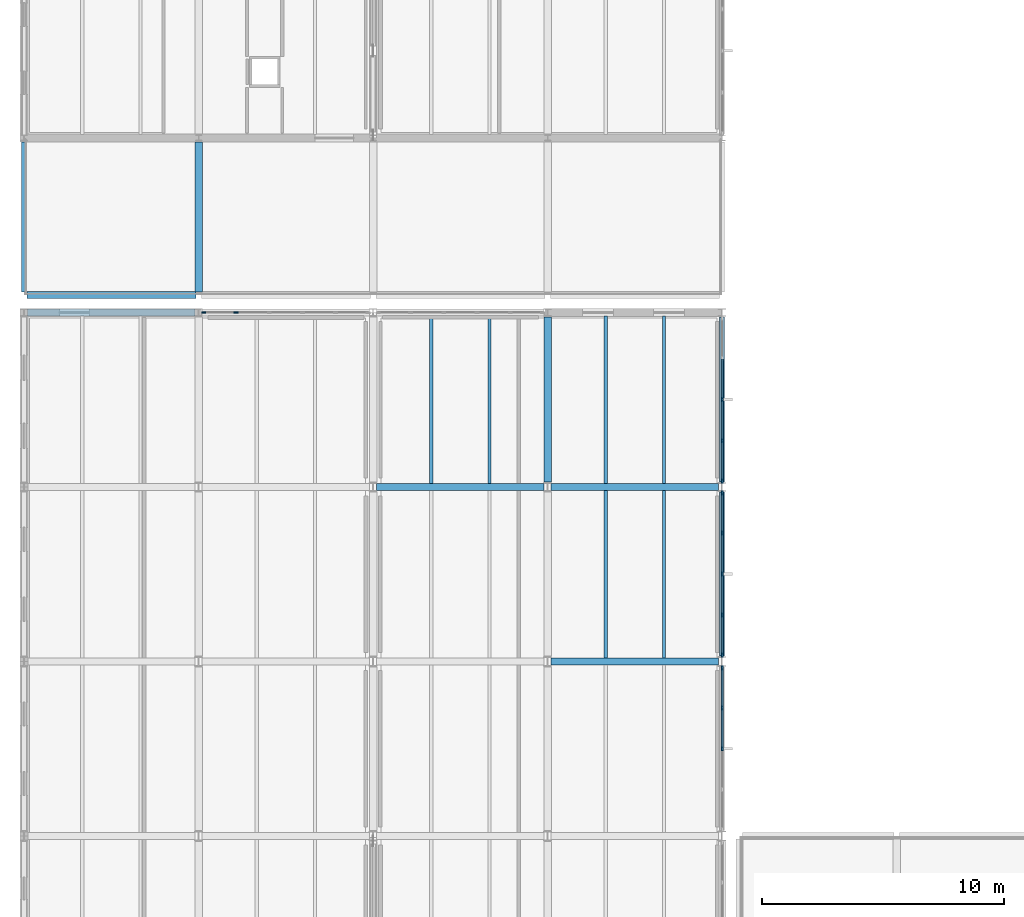
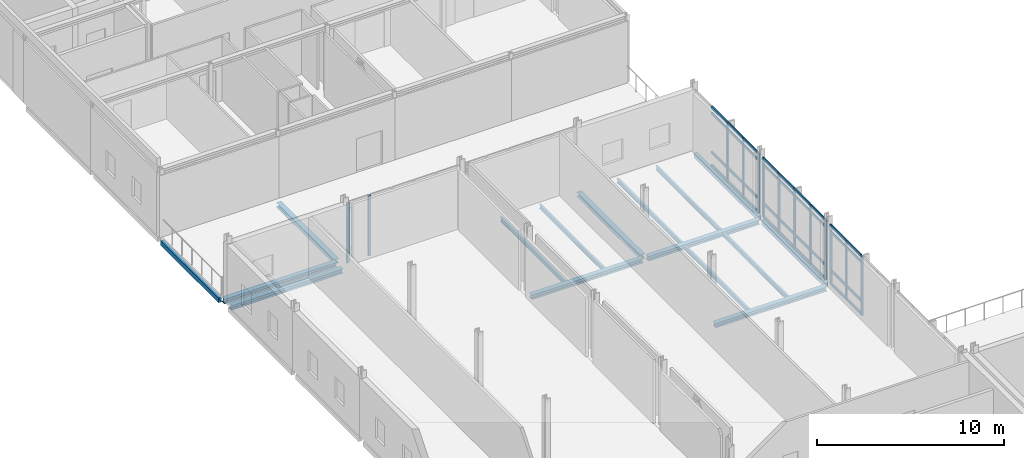
# One storey, part 13 of 53: 49 members, 16 beams, 4 elements without a shape of their own.
"""IFC4 building model written with IfcOpenShell, lengths in metres."""

from ifc_helpers import new_model, si_unit, direction, frame, origin, origin_2d, place, context, subcontext, project, spatial, rectangle, hollow_rectangle, i_section, extrude, material, layer, layer_set, material_profile, profile_set, type_object, element, aggregate, save


model = new_model("IFC4")

# Units and contexts
model_context = context("Model", 3, precision=1e-05, world=origin(), true_north=direction((0.0, 1.0)))
body_context = subcontext(model_context, "Body", "Model", "MODEL_VIEW")
ifc_project = project(units=[si_unit("LENGTHUNIT", "METRE"), si_unit("AREAUNIT", "SQUARE_METRE"), si_unit("VOLUMEUNIT", "CUBIC_METRE"), si_unit("PLANEANGLEUNIT", "RADIAN"), si_unit("MASSUNIT", "GRAM", prefix="KILO")], contexts=[model_context])

# Site, building, storey
site_placement = place(None, origin())
site = spatial("IfcSite", under=ifc_project, at=site_placement, CompositionType="ELEMENT")
building_placement = place(site_placement, origin())
building = spatial("IfcBuilding", under=site, at=building_placement, Name="Zarrinpeak Specialist Clinic", CompositionType="ELEMENT")
storey_placement = place(building_placement, frame((0.0, 0.0, 14.0)))
storey = spatial("IfcBuildingStorey", under=building, at=storey_placement, Name="L03", CompositionType="ELEMENT", Elevation=14.0)

# Beams
ifc_material_1 = material(Name="Steel S355", Category="steel")
ifc_material_profile_1 = material_profile(ifc_material_1, i_section(OverallWidth=0.300048828125, OverallDepth=0.2900390625, WebThickness=0.008544921875, FlangeThickness=0.013916015625, FilletRadius=0.027099609375, at=origin_2d()), Name="HEA 300")
ifc_profile_set_1 = profile_set([ifc_material_profile_1], Name="Steel S355")
beam_type_1 = type_object("IfcBeamType", Name="BM-HEA300", PredefinedType="BEAM", material=ifc_profile_set_1)
beam_1_placement = place(storey_placement, frame((21.748046875, 36.0, -0.344970703125), z_axis=(1.0, 0.0, 0.0), x_axis=(0.0, 1.0, 0.0)))
element("IfcBeam", 1, at=beam_1_placement, inside=storey, type_object=beam_type_1, Name="L03 Primary Floor Girder BM-L03-X1540", PredefinedType="BEAM", context=body_context, shape_type="SweptSolid", body=[
    extrude(i_section(OverallWidth=0.300048828125, OverallDepth=0.2900390625, WebThickness=0.008544921875, FlangeThickness=0.013916015625, FilletRadius=0.027099609375, at=origin_2d()), origin(), (0.0, 0.0, 1.0), 6.904052734375),
])
beam_2_placement = place(storey_placement, frame((14.548095703125, 43.199951171875, -0.344970703125), z_axis=(1.0, 0.0, 0.0), x_axis=(0.0, 1.0, 0.0)))
element("IfcBeam", 2, at=beam_2_placement, inside=storey, type_object=beam_type_1, Name="L03 Primary Floor Girder BM-L03-X1543", PredefinedType="BEAM", context=body_context, shape_type="SweptSolid", body=[
    extrude(i_section(OverallWidth=0.300048828125, OverallDepth=0.2900390625, WebThickness=0.008544921875, FlangeThickness=0.013916015625, FilletRadius=0.027099609375, at=origin_2d()), origin(), (0.0, 0.0, 1.0), 6.90380859375),
])
for number, where, z_axis, x_axis, name in (
    (3, (21.748046875, 43.199951171875, -0.344970703125), (1.0, 0.0, 0.0), (0.0, 1.0, 0.0), "L03 Primary Floor Girder BM-L03-X1544"),
    (4, (0.14794921875, 50.39990234375, -0.344970703125), (1.0, 0.0, 0.0), (0.0, 1.0, 0.0), "L03 Primary Floor Girder BM-L03-X1545"),
):
    element("IfcBeam", number, at=place(storey_placement, frame(where, z_axis=z_axis, x_axis=x_axis)), inside=storey, type_object=beam_type_1, Name=name, PredefinedType="BEAM", context=body_context, shape_type="SweptSolid", body=[
        extrude(i_section(OverallWidth=0.300048828125, OverallDepth=0.2900390625, WebThickness=0.008544921875, FlangeThickness=0.013916015625, FilletRadius=0.027099609375, at=origin_2d()), origin(), (0.0, 0.0, 1.0), 6.904052734375),
    ])
beam_3_placement = place(storey_placement, frame((0.117919921875, 51.1201171875, -0.364990234375), z_axis=(1.0, 0.0, 0.0), x_axis=(0.0, 1.0, 0.0)))
element("IfcBeam", 5, at=beam_3_placement, inside=storey, type_object=beam_type_1, Name="L03 Primary Floor Girder BM-L03-X1549", PredefinedType="BEAM", context=body_context, shape_type="SweptSolid", body=[
    extrude(i_section(OverallWidth=0.300048828125, OverallDepth=0.2900390625, WebThickness=0.008544921875, FlangeThickness=0.013916015625, FilletRadius=0.027099609375, at=origin_2d()), origin(), (0.0, 0.0, 1.0), 6.964111328125),
])
beam_4_placement = place(storey_placement, frame((7.199951171875, 51.238037109375, -0.364990234375), z_axis=(0.0, 1.0, 0.0), x_axis=(-1.0, 0.0, 0.0)))
element("IfcBeam", 6, at=beam_4_placement, inside=storey, type_object=beam_type_1, Name="L03 Primary Beam BM-L03-Y1607", PredefinedType="BEAM", context=body_context, shape_type="SweptSolid", body=[
    extrude(i_section(OverallWidth=0.300048828125, OverallDepth=0.2900390625, WebThickness=0.008544921875, FlangeThickness=0.013916015625, FilletRadius=0.027099609375, at=origin_2d()), origin(), (0.0, 0.0, 1.0), 6.203857421875),
])
beam_5_placement = place(storey_placement, frame((21.60009765625, 43.39794921875, -0.344970703125), z_axis=(0.0, 1.0, 0.0), x_axis=(-1.0, 0.0, 0.0)))
element("IfcBeam", 7, at=beam_5_placement, inside=storey, type_object=beam_type_1, Name="L03 Primary Beam BM-L03-Y1630", PredefinedType="BEAM", context=body_context, shape_type="SweptSolid", body=[
    extrude(i_section(OverallWidth=0.300048828125, OverallDepth=0.2900390625, WebThickness=0.008544921875, FlangeThickness=0.013916015625, FilletRadius=0.027099609375, at=origin_2d()), origin(), (0.0, 0.0, 1.0), 6.823974609375),
])
ifc_material_profile_2 = material_profile(ifc_material_1, i_section(OverallWidth=0.135009765625, OverallDepth=0.27001953125, WebThickness=0.006591796875, FlangeThickness=0.01025390625, FilletRadius=0.014892578125, at=origin_2d()), Name="IPE 270")
ifc_profile_set_2 = profile_set([ifc_material_profile_2], Name="Steel S355")
beam_type_2 = type_object("IfcBeamType", Name="BM-JST270", PredefinedType="JOIST", material=ifc_profile_set_2)
for number, where, z_axis, x_axis, name in (
    (8, (16.800048828125, 43.347900390625, -0.3349609375), (0.0, 1.0, 0.0), (-1.0, 0.0, 0.0), "L03 Composite Floor Joist JST-L03-1727"),
    (9, (19.199951171875, 43.347900390625, -0.3349609375), (0.0, 1.0, 0.0), (-1.0, 0.0, 0.0), "L03 Composite Floor Joist JST-L03-1728"),
    (10, (24.0, 36.14794921875, -0.3349609375), (0.0, 1.0, 0.0), (-1.0, 0.0, 0.0), "L03 Composite Floor Joist JST-L03-1733"),
    (11, (26.39990234375, 36.14794921875, -0.3349609375), (0.0, 1.0, 0.0), (-1.0, 0.0, 0.0), "L03 Composite Floor Joist JST-L03-1734"),
    (12, (24.0, 43.347900390625, -0.3349609375), (0.0, 1.0, 0.0), (-1.0, 0.0, 0.0), "L03 Composite Floor Joist JST-L03-1735"),
    (13, (26.39990234375, 43.347900390625, -0.3349609375), (0.0, 1.0, 0.0), (-1.0, 0.0, 0.0), "L03 Composite Floor Joist JST-L03-1736"),
):
    element("IfcBeam", number, at=place(storey_placement, frame(where, z_axis=z_axis, x_axis=x_axis)), inside=storey, type_object=beam_type_2, Name=name, PredefinedType="JOIST", context=body_context, shape_type="SweptSolid", body=[
        extrude(i_section(OverallWidth=0.135009765625, OverallDepth=0.27001953125, WebThickness=0.006591796875, FlangeThickness=0.01025390625, FilletRadius=0.014892578125, at=origin_2d()), origin(), (0.0, 0.0, 1.0), 6.904052734375),
    ])
ifc_material_profile_3 = material_profile(ifc_material_1, hollow_rectangle(XDim=0.199951171875, YDim=0.300048828125, WallThickness=0.012451171875, at=origin_2d()), Name="RHS 300x200x12.5")
ifc_profile_set_3 = profile_set([ifc_material_profile_3], Name="Steel S355")
beam_type_3 = type_object("IfcBeamType", Name="BM-SP300", PredefinedType="SPANDREL", material=ifc_profile_set_3)
beam_6_placement = place(storey_placement, frame((0.0, 51.238037109375, -0.3701171875), z_axis=(0.0, 1.0, 0.0), x_axis=(-1.0, 0.0, 0.0)))
element("IfcBeam", 14, at=beam_6_placement, inside=storey, type_object=beam_type_3, Name="L03 Perimeter Spandrel Beam BM-L03-Y1597", PredefinedType="SPANDREL", context=body_context, shape_type="SweptSolid", body=[
    extrude(hollow_rectangle(XDim=0.199951171875, YDim=0.300048828125, WallThickness=0.012451171875, at=origin_2d()), origin(), (0.0, 0.0, 1.0), 6.203857421875),
])
beam_7_placement = place(storey_placement, frame((28.800048828125, 36.222900390625, -0.35009765625), z_axis=(0.0, 1.0, 0.0), x_axis=(-1.0, 0.0, 0.0)))
element("IfcBeam", 15, at=beam_7_placement, inside=storey, type_object=beam_type_3, Name="L03 Perimeter Spandrel Beam BM-L03-Y1638", PredefinedType="SPANDREL", context=body_context, shape_type="SweptSolid", body=[
    extrude(hollow_rectangle(XDim=0.199951171875, YDim=0.300048828125, WallThickness=0.012451171875, at=origin_2d()), origin(), (0.0, 0.0, 1.0), 6.779052734375),
])
beam_8_placement = place(storey_placement, frame((28.800048828125, 43.39794921875, -0.35009765625), z_axis=(0.0, 1.0, 0.0), x_axis=(-1.0, 0.0, 0.0)))
element("IfcBeam", 16, at=beam_8_placement, inside=storey, type_object=beam_type_3, Name="L03 Perimeter Spandrel Beam BM-L03-Y1639", PredefinedType="SPANDREL", context=body_context, shape_type="SweptSolid", body=[
    extrude(hollow_rectangle(XDim=0.199951171875, YDim=0.300048828125, WallThickness=0.012451171875, at=origin_2d()), origin(), (0.0, 0.0, 1.0), 6.823974609375),
])

# Curtain wall, members
ifc_material_2 = material(Name="Anodised Aluminium Alloy 6063-T6", Category="aluminium")
ifc_layer_1 = layer(ifc_material_2, 0.1650390625)
ifc_layer_set_1 = layer_set([ifc_layer_1], Name="Anodised Aluminium Alloy 6063-T6")
curtain_wall_type_1 = type_object("IfcCurtainWallType", Name="CW-CLINIC", PredefinedType="NOTDEFINED", material=ifc_layer_set_1)
curtain_wall_1_placement = place(storey_placement, origin())
curtain_wall_1 = element("IfcCurtainWall", 17, at=curtain_wall_1_placement, inside=storey, type_object=curtain_wall_type_1, Name="L03 V1 Unitised Curtain Wall CW-L03-V1-019", PredefinedType="NOTDEFINED")
ifc_material_profile_4 = material_profile(ifc_material_2, rectangle(XDim=0.074951171875, YDim=0.179931640625, at=origin_2d()), Name="ALU 75x180")
ifc_profile_set_4 = profile_set([ifc_material_profile_4], Name="Anodised Aluminium Alloy 6063-T6")
member_type_1 = type_object("IfcMemberType", Name="CWM-75", PredefinedType="MULLION", material=ifc_profile_set_4)
member_1_placement = place(storey_placement, frame((8.7451171875, 50.39990234375, 0.0), z_axis=(0.0, 0.0, 1.0), x_axis=(0.0, -1.0, 0.0)))
member_1 = element("IfcMember", 18, at=member_1_placement, type_object=member_type_1, Name="CW-03 mullion 5", PredefinedType="MULLION", context=body_context, shape_type="SweptSolid", body=[
    extrude(rectangle(XDim=0.074951171875, YDim=0.179931640625, at=origin_2d()), origin(), (0.0, 0.0, 1.0), 3.93505859375),
])
member_2_placement = place(storey_placement, frame((7.41259765625, 50.39990234375, 0.0), z_axis=(0.0, 0.0, 1.0), x_axis=(0.0, -1.0, 0.0)))
member_2 = element("IfcMember", 19, at=member_2_placement, type_object=member_type_1, Name="CW-03 mullion 6", PredefinedType="MULLION", context=body_context, shape_type="SweptSolid", body=[
    extrude(rectangle(XDim=0.074951171875, YDim=0.179931640625, at=origin_2d()), origin(), (0.0, 0.0, 1.0), 3.93505859375),
])
aggregate(curtain_wall_1, [member_1, member_2])

ifc_layer_2 = layer(ifc_material_2, 0.179931640625)
ifc_layer_set_2 = layer_set([ifc_layer_2], Name="Anodised Aluminium Alloy 6063-T6")
curtain_wall_type_2 = type_object("IfcCurtainWallType", Name="CW-COURT", PredefinedType="NOTDEFINED", material=ifc_layer_set_2)
curtain_wall_2_placement = place(storey_placement, origin())
curtain_wall_2 = element("IfcCurtainWall", 20, at=curtain_wall_2_placement, inside=storey, type_object=curtain_wall_type_2, Name="L03 V1 Unitised Curtain Wall CW-L03-V1-022", PredefinedType="NOTDEFINED")
member_3_placement = place(storey_placement, frame((28.800048828125, 32.39990234375, 0.0), z_axis=(0.0, 0.0, 1.0), x_axis=(-1.0, 0.0, 0.0)))
member_3 = element("IfcMember", 21, at=member_3_placement, type_object=member_type_1, Name="CW-01 mullion 3", PredefinedType="MULLION", context=body_context, shape_type="SweptSolid", body=[
    extrude(rectangle(XDim=0.074951171875, YDim=0.179931640625, at=origin_2d()), origin(), (0.0, 0.0, 1.0), 3.885009765625),
])
member_4_placement = place(storey_placement, frame((28.800048828125, 34.08740234375, 0.0), z_axis=(0.0, 0.0, 1.0), x_axis=(-1.0, 0.0, 0.0)))
member_4 = element("IfcMember", 22, at=member_4_placement, type_object=member_type_1, Name="CW-01 mullion 4", PredefinedType="MULLION", context=body_context, shape_type="SweptSolid", body=[
    extrude(rectangle(XDim=0.074951171875, YDim=0.179931640625, at=origin_2d()), origin(), (0.0, 0.0, 1.0), 3.885009765625),
])
member_5_placement = place(storey_placement, frame((28.800048828125, 35.737548828125, 0.0), z_axis=(0.0, 0.0, 1.0), x_axis=(-1.0, 0.0, 0.0)))
member_5 = element("IfcMember", 23, at=member_5_placement, type_object=member_type_1, Name="CW-01 mullion 5", PredefinedType="MULLION", context=body_context, shape_type="SweptSolid", body=[
    extrude(rectangle(XDim=0.074951171875, YDim=0.179931640625, at=origin_2d()), origin(), (0.0, 0.0, 1.0), 3.885009765625),
])

curtain_wall_3_placement = place(storey_placement, origin())
curtain_wall_3 = element("IfcCurtainWall", 24, at=curtain_wall_3_placement, inside=storey, type_object=curtain_wall_type_2, Name="L03 V1 Unitised Curtain Wall CW-L03-V1-023", PredefinedType="NOTDEFINED")
member_6_placement = place(storey_placement, frame((28.800048828125, 36.262451171875, 0.0), z_axis=(0.0, 0.0, 1.0), x_axis=(-1.0, 0.0, 0.0)))
member_6 = element("IfcMember", 25, at=member_6_placement, type_object=member_type_1, Name="CW-01 mullion 1", PredefinedType="MULLION", context=body_context, shape_type="SweptSolid", body=[
    extrude(rectangle(XDim=0.074951171875, YDim=0.179931640625, at=origin_2d()), origin(), (0.0, 0.0, 1.0), 3.885009765625),
])
member_7_placement = place(storey_placement, frame((28.800048828125, 37.91748046875, 0.0), z_axis=(0.0, 0.0, 1.0), x_axis=(-1.0, 0.0, 0.0)))
member_7 = element("IfcMember", 26, at=member_7_placement, type_object=member_type_1, Name="CW-01 mullion 2", PredefinedType="MULLION", context=body_context, shape_type="SweptSolid", body=[
    extrude(rectangle(XDim=0.074951171875, YDim=0.179931640625, at=origin_2d()), origin(), (0.0, 0.0, 1.0), 3.885009765625),
])
member_8_placement = place(storey_placement, frame((28.800048828125, 39.610107421875, 0.0), z_axis=(0.0, 0.0, 1.0), x_axis=(-1.0, 0.0, 0.0)))
member_8 = element("IfcMember", 27, at=member_8_placement, type_object=member_type_1, Name="CW-01 mullion 3", PredefinedType="MULLION", context=body_context, shape_type="SweptSolid", body=[
    extrude(rectangle(XDim=0.074951171875, YDim=0.179931640625, at=origin_2d()), origin(), (0.0, 0.0, 1.0), 3.885009765625),
])
member_9_placement = place(storey_placement, frame((28.800048828125, 41.302490234375, 0.0), z_axis=(0.0, 0.0, 1.0), x_axis=(-1.0, 0.0, 0.0)))
member_9 = element("IfcMember", 28, at=member_9_placement, type_object=member_type_1, Name="CW-01 mullion 4", PredefinedType="MULLION", context=body_context, shape_type="SweptSolid", body=[
    extrude(rectangle(XDim=0.074951171875, YDim=0.179931640625, at=origin_2d()), origin(), (0.0, 0.0, 1.0), 3.885009765625),
])
member_10_placement = place(storey_placement, frame((28.800048828125, 42.95751953125, 0.0), z_axis=(0.0, 0.0, 1.0), x_axis=(-1.0, 0.0, 0.0)))
member_10 = element("IfcMember", 29, at=member_10_placement, type_object=member_type_1, Name="CW-01 mullion 5", PredefinedType="MULLION", context=body_context, shape_type="SweptSolid", body=[
    extrude(rectangle(XDim=0.074951171875, YDim=0.179931640625, at=origin_2d()), origin(), (0.0, 0.0, 1.0), 3.885009765625),
])

curtain_wall_4_placement = place(storey_placement, origin())
curtain_wall_4 = element("IfcCurtainWall", 30, at=curtain_wall_4_placement, inside=storey, type_object=curtain_wall_type_2, Name="L03 V1 Unitised Curtain Wall CW-L03-V1-024", PredefinedType="NOTDEFINED")
member_11_placement = place(storey_placement, frame((28.800048828125, 43.4423828125, 0.0), z_axis=(0.0, 0.0, 1.0), x_axis=(-1.0, 0.0, 0.0)))
member_11 = element("IfcMember", 31, at=member_11_placement, type_object=member_type_1, Name="CW-01 mullion 1", PredefinedType="MULLION", context=body_context, shape_type="SweptSolid", body=[
    extrude(rectangle(XDim=0.074951171875, YDim=0.179931640625, at=origin_2d()), origin(), (0.0, 0.0, 1.0), 3.885009765625),
])
member_12_placement = place(storey_placement, frame((28.800048828125, 45.107421875, 0.0), z_axis=(0.0, 0.0, 1.0), x_axis=(-1.0, 0.0, 0.0)))
member_12 = element("IfcMember", 32, at=member_12_placement, type_object=member_type_1, Name="CW-01 mullion 2", PredefinedType="MULLION", context=body_context, shape_type="SweptSolid", body=[
    extrude(rectangle(XDim=0.074951171875, YDim=0.179931640625, at=origin_2d()), origin(), (0.0, 0.0, 1.0), 3.885009765625),
])
member_13_placement = place(storey_placement, frame((28.800048828125, 46.81005859375, 0.0), z_axis=(0.0, 0.0, 1.0), x_axis=(-1.0, 0.0, 0.0)))
member_13 = element("IfcMember", 33, at=member_13_placement, type_object=member_type_1, Name="CW-01 mullion 3", PredefinedType="MULLION", context=body_context, shape_type="SweptSolid", body=[
    extrude(rectangle(XDim=0.074951171875, YDim=0.179931640625, at=origin_2d()), origin(), (0.0, 0.0, 1.0), 3.885009765625),
])

# Member
ifc_material_profile_5 = material_profile(ifc_material_2, rectangle(XDim=0.074951171875, YDim=0.159912109375, at=origin_2d()), Name="ALU 75x160")
ifc_profile_set_5 = profile_set([ifc_material_profile_5], Name="Anodised Aluminium Alloy 6063-T6")
member_type_2 = type_object("IfcMemberType", Name="CWT-75", PredefinedType="USERDEFINED", material=ifc_profile_set_5)
member_14_placement = place(storey_placement, frame((28.800048828125, 32.4375, 0.03759765625), z_axis=(0.0, 1.0, 0.0), x_axis=(-1.0, 0.0, 0.0)))
member_14 = element("IfcMember", 34, at=member_14_placement, type_object=member_type_2, Name="CW-01 transom 3.1", ObjectType="TRANSOM", PredefinedType="USERDEFINED", context=body_context, shape_type="SweptSolid", body=[
    extrude(rectangle(XDim=0.074951171875, YDim=0.159912109375, at=origin_2d()), origin(), (0.0, 0.0, 1.0), 1.612548828125),
])

member_15_placement = place(storey_placement, frame((28.800048828125, 32.4375, 0.89990234375), z_axis=(0.0, 1.0, 0.0), x_axis=(-1.0, 0.0, 0.0)))
member_15 = element("IfcMember", 35, at=member_15_placement, type_object=member_type_2, Name="CW-01 transom 3.2", ObjectType="TRANSOM", PredefinedType="USERDEFINED", context=body_context, shape_type="SweptSolid", body=[
    extrude(rectangle(XDim=0.074951171875, YDim=0.159912109375, at=origin_2d()), origin(), (0.0, 0.0, 1.0), 1.612548828125),
])

member_16_placement = place(storey_placement, frame((28.800048828125, 32.4375, 3.43505859375), z_axis=(0.0, 1.0, 0.0), x_axis=(-1.0, 0.0, 0.0)))
member_16 = element("IfcMember", 36, at=member_16_placement, type_object=member_type_2, Name="CW-01 transom 3.3", ObjectType="TRANSOM", PredefinedType="USERDEFINED", context=body_context, shape_type="SweptSolid", body=[
    extrude(rectangle(XDim=0.074951171875, YDim=0.159912109375, at=origin_2d()), origin(), (0.0, 0.0, 1.0), 1.612548828125),
])

member_17_placement = place(storey_placement, frame((28.800048828125, 32.4375, 3.847412109375), z_axis=(0.0, 1.0, 0.0), x_axis=(-1.0, 0.0, 0.0)))
member_17 = element("IfcMember", 37, at=member_17_placement, type_object=member_type_2, Name="CW-01 transom 3.4", ObjectType="TRANSOM", PredefinedType="USERDEFINED", context=body_context, shape_type="SweptSolid", body=[
    extrude(rectangle(XDim=0.074951171875, YDim=0.159912109375, at=origin_2d()), origin(), (0.0, 0.0, 1.0), 1.612548828125),
])

member_18_placement = place(storey_placement, frame((28.800048828125, 34.125, 0.03759765625), z_axis=(0.0, 1.0, 0.0), x_axis=(-1.0, 0.0, 0.0)))
member_18 = element("IfcMember", 38, at=member_18_placement, type_object=member_type_2, Name="CW-01 transom 4.1", ObjectType="TRANSOM", PredefinedType="USERDEFINED", context=body_context, shape_type="SweptSolid", body=[
    extrude(rectangle(XDim=0.074951171875, YDim=0.159912109375, at=origin_2d()), origin(), (0.0, 0.0, 1.0), 1.574951171875),
])

member_19_placement = place(storey_placement, frame((28.800048828125, 34.125, 0.89990234375), z_axis=(0.0, 1.0, 0.0), x_axis=(-1.0, 0.0, 0.0)))
member_19 = element("IfcMember", 39, at=member_19_placement, type_object=member_type_2, Name="CW-01 transom 4.2", ObjectType="TRANSOM", PredefinedType="USERDEFINED", context=body_context, shape_type="SweptSolid", body=[
    extrude(rectangle(XDim=0.074951171875, YDim=0.159912109375, at=origin_2d()), origin(), (0.0, 0.0, 1.0), 1.574951171875),
])

member_20_placement = place(storey_placement, frame((28.800048828125, 34.125, 3.43505859375), z_axis=(0.0, 1.0, 0.0), x_axis=(-1.0, 0.0, 0.0)))
member_20 = element("IfcMember", 40, at=member_20_placement, type_object=member_type_2, Name="CW-01 transom 4.3", ObjectType="TRANSOM", PredefinedType="USERDEFINED", context=body_context, shape_type="SweptSolid", body=[
    extrude(rectangle(XDim=0.074951171875, YDim=0.159912109375, at=origin_2d()), origin(), (0.0, 0.0, 1.0), 1.574951171875),
])

member_21_placement = place(storey_placement, frame((28.800048828125, 34.125, 3.847412109375), z_axis=(0.0, 1.0, 0.0), x_axis=(-1.0, 0.0, 0.0)))
member_21 = element("IfcMember", 41, at=member_21_placement, type_object=member_type_2, Name="CW-01 transom 4.4", ObjectType="TRANSOM", PredefinedType="USERDEFINED", context=body_context, shape_type="SweptSolid", body=[
    extrude(rectangle(XDim=0.074951171875, YDim=0.159912109375, at=origin_2d()), origin(), (0.0, 0.0, 1.0), 1.574951171875),
])

aggregate(curtain_wall_2, [member_3, member_4, member_5, member_14, member_15, member_16, member_17, member_18, member_19, member_20, member_21])

member_22_placement = place(storey_placement, frame((28.800048828125, 36.300048828125, 0.03759765625), z_axis=(0.0, 1.0, 0.0), x_axis=(-1.0, 0.0, 0.0)))
member_22 = element("IfcMember", 42, at=member_22_placement, type_object=member_type_2, Name="CW-01 transom 1.1", ObjectType="TRANSOM", PredefinedType="USERDEFINED", context=body_context, shape_type="SweptSolid", body=[
    extrude(rectangle(XDim=0.074951171875, YDim=0.159912109375, at=origin_2d()), origin(), (0.0, 0.0, 1.0), 1.579833984375),
])

member_23_placement = place(storey_placement, frame((28.800048828125, 36.300048828125, 0.89990234375), z_axis=(0.0, 1.0, 0.0), x_axis=(-1.0, 0.0, 0.0)))
member_23 = element("IfcMember", 43, at=member_23_placement, type_object=member_type_2, Name="CW-01 transom 1.2", ObjectType="TRANSOM", PredefinedType="USERDEFINED", context=body_context, shape_type="SweptSolid", body=[
    extrude(rectangle(XDim=0.074951171875, YDim=0.159912109375, at=origin_2d()), origin(), (0.0, 0.0, 1.0), 1.579833984375),
])

member_24_placement = place(storey_placement, frame((28.800048828125, 36.300048828125, 3.43505859375), z_axis=(0.0, 1.0, 0.0), x_axis=(-1.0, 0.0, 0.0)))
member_24 = element("IfcMember", 44, at=member_24_placement, type_object=member_type_2, Name="CW-01 transom 1.3", ObjectType="TRANSOM", PredefinedType="USERDEFINED", context=body_context, shape_type="SweptSolid", body=[
    extrude(rectangle(XDim=0.074951171875, YDim=0.159912109375, at=origin_2d()), origin(), (0.0, 0.0, 1.0), 1.579833984375),
])

member_25_placement = place(storey_placement, frame((28.800048828125, 36.300048828125, 3.847412109375), z_axis=(0.0, 1.0, 0.0), x_axis=(-1.0, 0.0, 0.0)))
member_25 = element("IfcMember", 45, at=member_25_placement, type_object=member_type_2, Name="CW-01 transom 1.4", ObjectType="TRANSOM", PredefinedType="USERDEFINED", context=body_context, shape_type="SweptSolid", body=[
    extrude(rectangle(XDim=0.074951171875, YDim=0.159912109375, at=origin_2d()), origin(), (0.0, 0.0, 1.0), 1.579833984375),
])

member_26_placement = place(storey_placement, frame((28.800048828125, 37.955078125, 0.03759765625), z_axis=(0.0, 1.0, 0.0), x_axis=(-1.0, 0.0, 0.0)))
member_26 = element("IfcMember", 46, at=member_26_placement, type_object=member_type_2, Name="CW-01 transom 2.1", ObjectType="TRANSOM", PredefinedType="USERDEFINED", context=body_context, shape_type="SweptSolid", body=[
    extrude(rectangle(XDim=0.074951171875, YDim=0.159912109375, at=origin_2d()), origin(), (0.0, 0.0, 1.0), 1.617431640625),
])

member_27_placement = place(storey_placement, frame((28.800048828125, 37.955078125, 0.89990234375), z_axis=(0.0, 1.0, 0.0), x_axis=(-1.0, 0.0, 0.0)))
member_27 = element("IfcMember", 47, at=member_27_placement, type_object=member_type_2, Name="CW-01 transom 2.2", ObjectType="TRANSOM", PredefinedType="USERDEFINED", context=body_context, shape_type="SweptSolid", body=[
    extrude(rectangle(XDim=0.074951171875, YDim=0.159912109375, at=origin_2d()), origin(), (0.0, 0.0, 1.0), 1.617431640625),
])

member_28_placement = place(storey_placement, frame((28.800048828125, 37.955078125, 3.43505859375), z_axis=(0.0, 1.0, 0.0), x_axis=(-1.0, 0.0, 0.0)))
member_28 = element("IfcMember", 48, at=member_28_placement, type_object=member_type_2, Name="CW-01 transom 2.3", ObjectType="TRANSOM", PredefinedType="USERDEFINED", context=body_context, shape_type="SweptSolid", body=[
    extrude(rectangle(XDim=0.074951171875, YDim=0.159912109375, at=origin_2d()), origin(), (0.0, 0.0, 1.0), 1.617431640625),
])

member_29_placement = place(storey_placement, frame((28.800048828125, 37.955078125, 3.847412109375), z_axis=(0.0, 1.0, 0.0), x_axis=(-1.0, 0.0, 0.0)))
member_29 = element("IfcMember", 49, at=member_29_placement, type_object=member_type_2, Name="CW-01 transom 2.4", ObjectType="TRANSOM", PredefinedType="USERDEFINED", context=body_context, shape_type="SweptSolid", body=[
    extrude(rectangle(XDim=0.074951171875, YDim=0.159912109375, at=origin_2d()), origin(), (0.0, 0.0, 1.0), 1.617431640625),
])

member_30_placement = place(storey_placement, frame((28.800048828125, 39.6474609375, 0.03759765625), z_axis=(0.0, 1.0, 0.0), x_axis=(-1.0, 0.0, 0.0)))
member_30 = element("IfcMember", 50, at=member_30_placement, type_object=member_type_2, Name="CW-01 transom 3.1", ObjectType="TRANSOM", PredefinedType="USERDEFINED", context=body_context, shape_type="SweptSolid", body=[
    extrude(rectangle(XDim=0.074951171875, YDim=0.159912109375, at=origin_2d()), origin(), (0.0, 0.0, 1.0), 1.617431640625),
])

member_31_placement = place(storey_placement, frame((28.800048828125, 39.6474609375, 0.89990234375), z_axis=(0.0, 1.0, 0.0), x_axis=(-1.0, 0.0, 0.0)))
member_31 = element("IfcMember", 51, at=member_31_placement, type_object=member_type_2, Name="CW-01 transom 3.2", ObjectType="TRANSOM", PredefinedType="USERDEFINED", context=body_context, shape_type="SweptSolid", body=[
    extrude(rectangle(XDim=0.074951171875, YDim=0.159912109375, at=origin_2d()), origin(), (0.0, 0.0, 1.0), 1.617431640625),
])

member_32_placement = place(storey_placement, frame((28.800048828125, 39.6474609375, 3.43505859375), z_axis=(0.0, 1.0, 0.0), x_axis=(-1.0, 0.0, 0.0)))
member_32 = element("IfcMember", 52, at=member_32_placement, type_object=member_type_2, Name="CW-01 transom 3.3", ObjectType="TRANSOM", PredefinedType="USERDEFINED", context=body_context, shape_type="SweptSolid", body=[
    extrude(rectangle(XDim=0.074951171875, YDim=0.159912109375, at=origin_2d()), origin(), (0.0, 0.0, 1.0), 1.617431640625),
])

member_33_placement = place(storey_placement, frame((28.800048828125, 39.6474609375, 3.847412109375), z_axis=(0.0, 1.0, 0.0), x_axis=(-1.0, 0.0, 0.0)))
member_33 = element("IfcMember", 53, at=member_33_placement, type_object=member_type_2, Name="CW-01 transom 3.4", ObjectType="TRANSOM", PredefinedType="USERDEFINED", context=body_context, shape_type="SweptSolid", body=[
    extrude(rectangle(XDim=0.074951171875, YDim=0.159912109375, at=origin_2d()), origin(), (0.0, 0.0, 1.0), 1.617431640625),
])

member_34_placement = place(storey_placement, frame((28.800048828125, 41.340087890625, 0.03759765625), z_axis=(0.0, 1.0, 0.0), x_axis=(-1.0, 0.0, 0.0)))
member_34 = element("IfcMember", 54, at=member_34_placement, type_object=member_type_2, Name="CW-01 transom 4.1", ObjectType="TRANSOM", PredefinedType="USERDEFINED", context=body_context, shape_type="SweptSolid", body=[
    extrude(rectangle(XDim=0.074951171875, YDim=0.159912109375, at=origin_2d()), origin(), (0.0, 0.0, 1.0), 1.579833984375),
])

member_35_placement = place(storey_placement, frame((28.800048828125, 41.340087890625, 0.89990234375), z_axis=(0.0, 1.0, 0.0), x_axis=(-1.0, 0.0, 0.0)))
member_35 = element("IfcMember", 55, at=member_35_placement, type_object=member_type_2, Name="CW-01 transom 4.2", ObjectType="TRANSOM", PredefinedType="USERDEFINED", context=body_context, shape_type="SweptSolid", body=[
    extrude(rectangle(XDim=0.074951171875, YDim=0.159912109375, at=origin_2d()), origin(), (0.0, 0.0, 1.0), 1.579833984375),
])

member_36_placement = place(storey_placement, frame((28.800048828125, 41.340087890625, 3.43505859375), z_axis=(0.0, 1.0, 0.0), x_axis=(-1.0, 0.0, 0.0)))
member_36 = element("IfcMember", 56, at=member_36_placement, type_object=member_type_2, Name="CW-01 transom 4.3", ObjectType="TRANSOM", PredefinedType="USERDEFINED", context=body_context, shape_type="SweptSolid", body=[
    extrude(rectangle(XDim=0.074951171875, YDim=0.159912109375, at=origin_2d()), origin(), (0.0, 0.0, 1.0), 1.579833984375),
])

member_37_placement = place(storey_placement, frame((28.800048828125, 41.340087890625, 3.847412109375), z_axis=(0.0, 1.0, 0.0), x_axis=(-1.0, 0.0, 0.0)))
member_37 = element("IfcMember", 57, at=member_37_placement, type_object=member_type_2, Name="CW-01 transom 4.4", ObjectType="TRANSOM", PredefinedType="USERDEFINED", context=body_context, shape_type="SweptSolid", body=[
    extrude(rectangle(XDim=0.074951171875, YDim=0.159912109375, at=origin_2d()), origin(), (0.0, 0.0, 1.0), 1.579833984375),
])

aggregate(curtain_wall_3, [member_6, member_7, member_8, member_9, member_10, member_22, member_23, member_24, member_25, member_26, member_27, member_28, member_29, member_30, member_31, member_32, member_33, member_34, member_35, member_36, member_37])

member_38_placement = place(storey_placement, frame((28.800048828125, 43.47998046875, 0.03759765625), z_axis=(0.0, 1.0, 0.0), x_axis=(-1.0, 0.0, 0.0)))
member_38 = element("IfcMember", 58, at=member_38_placement, type_object=member_type_2, Name="CW-01 transom 1.1", ObjectType="TRANSOM", PredefinedType="USERDEFINED", context=body_context, shape_type="SweptSolid", body=[
    extrude(rectangle(XDim=0.074951171875, YDim=0.159912109375, at=origin_2d()), origin(), (0.0, 0.0, 1.0), 1.590087890625),
])

member_39_placement = place(storey_placement, frame((28.800048828125, 43.47998046875, 0.89990234375), z_axis=(0.0, 1.0, 0.0), x_axis=(-1.0, 0.0, 0.0)))
member_39 = element("IfcMember", 59, at=member_39_placement, type_object=member_type_2, Name="CW-01 transom 1.2", ObjectType="TRANSOM", PredefinedType="USERDEFINED", context=body_context, shape_type="SweptSolid", body=[
    extrude(rectangle(XDim=0.074951171875, YDim=0.159912109375, at=origin_2d()), origin(), (0.0, 0.0, 1.0), 1.590087890625),
])

member_40_placement = place(storey_placement, frame((28.800048828125, 43.47998046875, 3.43505859375), z_axis=(0.0, 1.0, 0.0), x_axis=(-1.0, 0.0, 0.0)))
member_40 = element("IfcMember", 60, at=member_40_placement, type_object=member_type_2, Name="CW-01 transom 1.3", ObjectType="TRANSOM", PredefinedType="USERDEFINED", context=body_context, shape_type="SweptSolid", body=[
    extrude(rectangle(XDim=0.074951171875, YDim=0.159912109375, at=origin_2d()), origin(), (0.0, 0.0, 1.0), 1.590087890625),
])

member_41_placement = place(storey_placement, frame((28.800048828125, 43.47998046875, 3.847412109375), z_axis=(0.0, 1.0, 0.0), x_axis=(-1.0, 0.0, 0.0)))
member_41 = element("IfcMember", 61, at=member_41_placement, type_object=member_type_2, Name="CW-01 transom 1.4", ObjectType="TRANSOM", PredefinedType="USERDEFINED", context=body_context, shape_type="SweptSolid", body=[
    extrude(rectangle(XDim=0.074951171875, YDim=0.159912109375, at=origin_2d()), origin(), (0.0, 0.0, 1.0), 1.590087890625),
])

member_42_placement = place(storey_placement, frame((28.800048828125, 45.14501953125, 0.03759765625), z_axis=(0.0, 1.0, 0.0), x_axis=(-1.0, 0.0, 0.0)))
member_42 = element("IfcMember", 62, at=member_42_placement, type_object=member_type_2, Name="CW-01 transom 2.1", ObjectType="TRANSOM", PredefinedType="USERDEFINED", context=body_context, shape_type="SweptSolid", body=[
    extrude(rectangle(XDim=0.074951171875, YDim=0.159912109375, at=origin_2d()), origin(), (0.0, 0.0, 1.0), 1.62744140625),
])

member_43_placement = place(storey_placement, frame((28.800048828125, 45.14501953125, 0.89990234375), z_axis=(0.0, 1.0, 0.0), x_axis=(-1.0, 0.0, 0.0)))
member_43 = element("IfcMember", 63, at=member_43_placement, type_object=member_type_2, Name="CW-01 transom 2.2", ObjectType="TRANSOM", PredefinedType="USERDEFINED", context=body_context, shape_type="SweptSolid", body=[
    extrude(rectangle(XDim=0.074951171875, YDim=0.159912109375, at=origin_2d()), origin(), (0.0, 0.0, 1.0), 1.62744140625),
])

member_44_placement = place(storey_placement, frame((28.800048828125, 45.14501953125, 3.43505859375), z_axis=(0.0, 1.0, 0.0), x_axis=(-1.0, 0.0, 0.0)))
member_44 = element("IfcMember", 64, at=member_44_placement, type_object=member_type_2, Name="CW-01 transom 2.3", ObjectType="TRANSOM", PredefinedType="USERDEFINED", context=body_context, shape_type="SweptSolid", body=[
    extrude(rectangle(XDim=0.074951171875, YDim=0.159912109375, at=origin_2d()), origin(), (0.0, 0.0, 1.0), 1.62744140625),
])

member_45_placement = place(storey_placement, frame((28.800048828125, 45.14501953125, 3.847412109375), z_axis=(0.0, 1.0, 0.0), x_axis=(-1.0, 0.0, 0.0)))
member_45 = element("IfcMember", 65, at=member_45_placement, type_object=member_type_2, Name="CW-01 transom 2.4", ObjectType="TRANSOM", PredefinedType="USERDEFINED", context=body_context, shape_type="SweptSolid", body=[
    extrude(rectangle(XDim=0.074951171875, YDim=0.159912109375, at=origin_2d()), origin(), (0.0, 0.0, 1.0), 1.62744140625),
])

member_46_placement = place(storey_placement, frame((28.800048828125, 46.847412109375, 0.03759765625), z_axis=(0.0, 1.0, 0.0), x_axis=(-1.0, 0.0, 0.0)))
member_46 = element("IfcMember", 66, at=member_46_placement, type_object=member_type_2, Name="CW-01 transom 3.1", ObjectType="TRANSOM", PredefinedType="USERDEFINED", context=body_context, shape_type="SweptSolid", body=[
    extrude(rectangle(XDim=0.074951171875, YDim=0.159912109375, at=origin_2d()), origin(), (0.0, 0.0, 1.0), 1.627685546875),
])

member_47_placement = place(storey_placement, frame((28.800048828125, 46.847412109375, 0.89990234375), z_axis=(0.0, 1.0, 0.0), x_axis=(-1.0, 0.0, 0.0)))
member_47 = element("IfcMember", 67, at=member_47_placement, type_object=member_type_2, Name="CW-01 transom 3.2", ObjectType="TRANSOM", PredefinedType="USERDEFINED", context=body_context, shape_type="SweptSolid", body=[
    extrude(rectangle(XDim=0.074951171875, YDim=0.159912109375, at=origin_2d()), origin(), (0.0, 0.0, 1.0), 1.627685546875),
])

member_48_placement = place(storey_placement, frame((28.800048828125, 46.847412109375, 3.43505859375), z_axis=(0.0, 1.0, 0.0), x_axis=(-1.0, 0.0, 0.0)))
member_48 = element("IfcMember", 68, at=member_48_placement, type_object=member_type_2, Name="CW-01 transom 3.3", ObjectType="TRANSOM", PredefinedType="USERDEFINED", context=body_context, shape_type="SweptSolid", body=[
    extrude(rectangle(XDim=0.074951171875, YDim=0.159912109375, at=origin_2d()), origin(), (0.0, 0.0, 1.0), 1.627685546875),
])

member_49_placement = place(storey_placement, frame((28.800048828125, 46.847412109375, 3.847412109375), z_axis=(0.0, 1.0, 0.0), x_axis=(-1.0, 0.0, 0.0)))
member_49 = element("IfcMember", 69, at=member_49_placement, type_object=member_type_2, Name="CW-01 transom 3.4", ObjectType="TRANSOM", PredefinedType="USERDEFINED", context=body_context, shape_type="SweptSolid", body=[
    extrude(rectangle(XDim=0.074951171875, YDim=0.159912109375, at=origin_2d()), origin(), (0.0, 0.0, 1.0), 1.627685546875),
])

aggregate(curtain_wall_4, [member_11, member_12, member_13, member_38, member_39, member_40, member_41, member_42, member_43, member_44, member_45, member_46, member_47, member_48, member_49])

save(model, "model.ifc")
